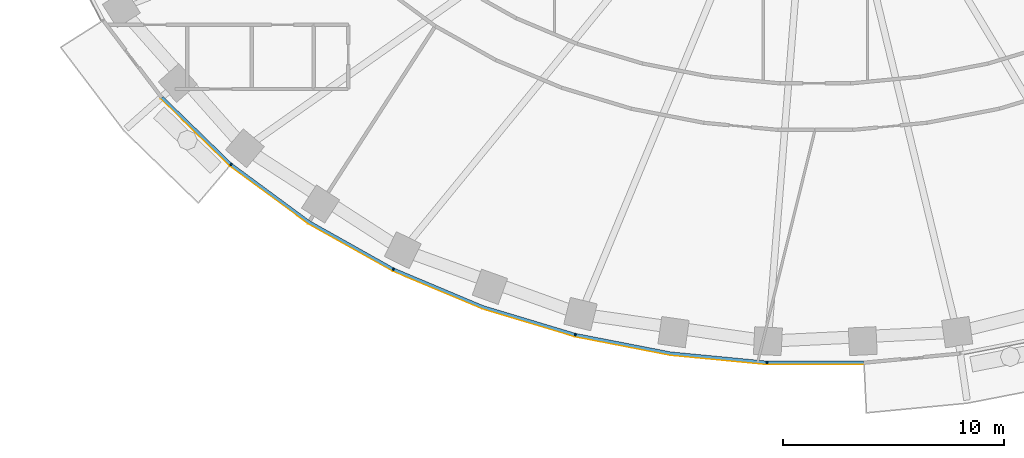
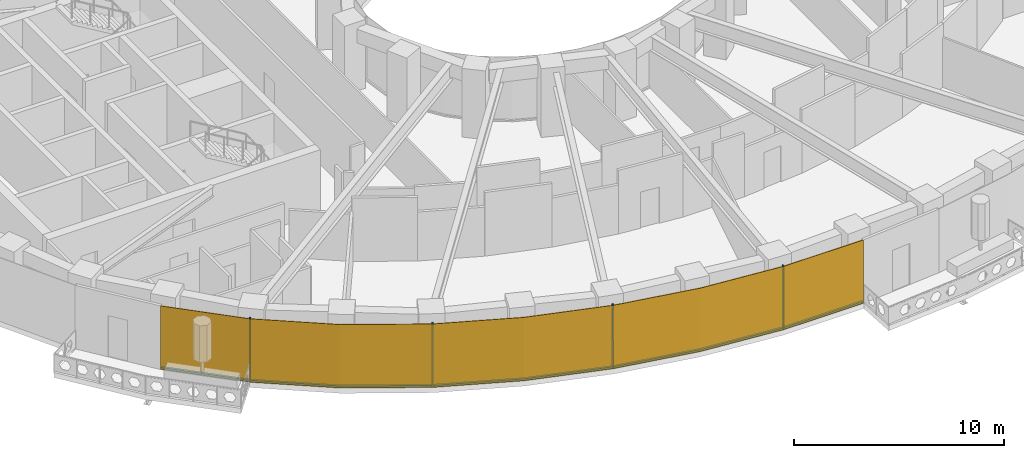
# One storey, part 8 of 16: 9 members, 1 curtain wall.
"""IFC4 building model written with IfcOpenShell, lengths in metres."""

from ifc_helpers import new_model, si_unit, direction, frame, origin, origin_2d, place, context, subcontext, project, spatial, polyline, rectangle, outline, extrude, material, layer, layer_set, material_profile, profile_set, type_object, element, aggregate, save


model = new_model("IFC4")

# Units and contexts
model_context = context("Model", 3, precision=1e-05, world=origin(), true_north=direction((0.0, 1.0)))
body_context = subcontext(model_context, "Body", "Model", "MODEL_VIEW")
ifc_project = project(units=[si_unit("LENGTHUNIT", "METRE"), si_unit("AREAUNIT", "SQUARE_METRE"), si_unit("VOLUMEUNIT", "CUBIC_METRE"), si_unit("PLANEANGLEUNIT", "RADIAN"), si_unit("MASSUNIT", "GRAM", prefix="KILO")], contexts=[model_context])

# Member
ifc_material_1 = material(Name="Aluminium 6063-T6 black anodised", Category="aluminium")
ifc_material_profile = material_profile(ifc_material_1, rectangle(XDim=0.1201171875, YDim=0.06005859375, at=origin_2d()), Name="120x60")
ifc_profile_set = profile_set([ifc_material_profile], Name="Aluminium 6063-T6 black anodised")
member_type_1 = type_object("IfcMemberType", Name="ENV-MULLION-A-120", PredefinedType="MULLION", material=ifc_profile_set)
site_placement = place(None, origin())
building_placement = place(site_placement, origin())
storey_placement = place(building_placement, frame((0.0, 0.0, 132.0)))
member_1_placement = place(storey_placement, frame((-26.403564453125, -18.9130859375, 0.0), z_axis=(0.0, 0.0, 1.0), x_axis=(0.646451313783, 0.762955240435, 0.0)))
member_1 = element("IfcMember", 1, at=member_1_placement, type_object=member_type_1, Name="Mullion A radial 29", PredefinedType="MULLION", context=body_context, shape_type="SweptSolid", body=[
    extrude(rectangle(XDim=0.1201171875, YDim=0.06005859375, at=origin_2d()), origin(), (0.0, 0.0, 1.0), 3.699951171875),
])

member_2_placement = place(storey_placement, frame((-19.06787109375, -23.6474609375, 0.0), z_axis=(0.0, 0.0, 1.0), x_axis=(0.439237769837, 0.898370848563, 0.0)))
member_2 = element("IfcMember", 2, at=member_2_placement, type_object=member_type_1, Name="Mullion A radial 31", PredefinedType="MULLION", context=body_context, shape_type="SweptSolid", body=[
    extrude(rectangle(XDim=0.1201171875, YDim=0.06005859375, at=origin_2d()), origin(), (0.0, 0.0, 1.0), 3.699951171875),
])

member_3_placement = place(storey_placement, frame((-10.84326171875, -26.60498046875, 0.0), z_axis=(0.0, 0.0, 1.0), x_axis=(0.239799081534, 0.970822538106, 0.0)))
member_3 = element("IfcMember", 3, at=member_3_placement, type_object=member_type_1, Name="Mullion A radial 33", PredefinedType="MULLION", context=body_context, shape_type="SweptSolid", body=[
    extrude(rectangle(XDim=0.1201171875, YDim=0.06005859375, at=origin_2d()), origin(), (0.0, 0.0, 1.0), 3.699951171875),
])

member_4_placement = place(storey_placement, frame((-2.188720703125, -27.856201171875, 0.0), z_axis=(0.0, 0.0, 1.0), x_axis=(0.047557873581, 0.998868484166, 0.0)))
member_4 = element("IfcMember", 4, at=member_4_placement, type_object=member_type_1, Name="Mullion A radial 35", PredefinedType="MULLION", context=body_context, shape_type="SweptSolid", body=[
    extrude(rectangle(XDim=0.1201171875, YDim=0.06005859375, at=origin_2d()), origin(), (0.0, 0.0, 1.0), 3.699951171875),
])

ifc_material_2 = material(Name="Aluminium 6063-T6 black anodised", Category="aluminium")
member_type_2 = type_object("IfcMemberType", Name="ENV-TRANSOM-A", PredefinedType="USERDEFINED", material=ifc_material_2)
member_5_placement = place(storey_placement, origin())
member_5 = element("IfcMember", 5, at=member_5_placement, type_object=member_type_2, Name="Transom A radial 28-29", ObjectType="TRANSOM", PredefinedType="USERDEFINED", context=body_context, shape_type="SweptSolid", body=[
    extrude(outline(polyline([(-29.569091796875, -15.9208984375), (-26.46240234375, -18.939208984375), (-26.384765625, -18.847412109375), (-29.47900390625, -15.841064453125), (-29.569091796875, -15.9208984375)])), origin(), (0.0, 0.0, 1.0), 0.10009765625),
])

member_6_placement = place(storey_placement, origin())
member_6 = element("IfcMember", 6, at=member_6_placement, type_object=member_type_2, Name="Transom A radial 29-31", ObjectType="TRANSOM", PredefinedType="USERDEFINED", context=body_context, shape_type="SweptSolid", body=[
    extrude(outline(polyline([(-26.419921875, -18.975341796875), (-22.9150390625, -21.556884765625), (-19.11865234375, -23.687744140625), (-19.06591796875, -23.57958984375), (-22.85009765625, -21.455810546875), (-26.342041015625, -18.883544921875), (-26.419921875, -18.975341796875)])), origin(), (0.0, 0.0, 1.0), 0.10009765625),
])

member_7_placement = place(storey_placement, origin())
member_7 = element("IfcMember", 7, at=member_7_placement, type_object=member_type_2, Name="Transom A radial 31-33", ObjectType="TRANSOM", PredefinedType="USERDEFINED", context=body_context, shape_type="SweptSolid", body=[
    extrude(outline(polyline([(-19.068359375, -23.71240234375), (-15.054443359375, -25.400146484375), (-10.884521484375, -26.655029296875), (-10.855712890625, -26.53857421875), (-15.013916015625, -25.287109375), (-19.015380859375, -23.604248046875), (-19.068359375, -23.71240234375)])), origin(), (0.0, 0.0, 1.0), 0.10009765625),
])

member_8_placement = place(storey_placement, origin())
member_8 = element("IfcMember", 8, at=member_8_placement, type_object=member_type_2, Name="Transom A radial 33-35", ObjectType="TRANSOM", PredefinedType="USERDEFINED", context=body_context, shape_type="SweptSolid", body=[
    extrude(outline(polyline([(-10.830078125, -26.66845703125), (-6.55517578125, -27.49951171875), (-2.219482421875, -27.913330078125), (-2.2138671875, -27.793212890625), (-6.537841796875, -27.380615234375), (-10.80126953125, -26.552001953125), (-10.830078125, -26.66845703125)])), origin(), (0.0, 0.0, 1.0), 0.10009765625),
])

member_9_placement = place(storey_placement, origin())
member_9 = element("IfcMember", 9, at=member_9_placement, type_object=member_type_2, Name="Transom A radial 35-36", ObjectType="TRANSOM", PredefinedType="USERDEFINED", context=body_context, shape_type="SweptSolid", body=[
    extrude(outline(polyline([(-2.163818359375, -27.916015625), (2.171630859375, -27.916015625), (2.166015625, -27.7958984375), (-2.157958984375, -27.7958984375), (-2.163818359375, -27.916015625)])), origin(), (0.0, 0.0, 1.0), 0.10009765625),
])

# Site, building, storey
site = spatial("IfcSite", under=ifc_project, at=site_placement, CompositionType="ELEMENT")
building = spatial("IfcBuilding", under=site, at=building_placement, Name="Noorbagh Ring Tower", CompositionType="ELEMENT")
storey = spatial("IfcBuildingStorey", under=building, at=storey_placement, Name="L30", CompositionType="ELEMENT", Elevation=132.0)

# Curtain wall
ifc_material_3 = material(Name="Glass dark tinted laminated", Category="glass")
ifc_layer = layer(ifc_material_3, 0.031982421875)
ifc_layer_set = layer_set([ifc_layer], Name="Glass dark tinted laminated")
curtain_wall_type = type_object("IfcCurtainWallType", Name="ENV-CW-A", PredefinedType="NOTDEFINED", material=ifc_layer_set)
curtain_wall_placement = place(storey_placement, origin())
curtain_wall = element("IfcCurtainWall", 10, at=curtain_wall_placement, inside=storey, type_object=curtain_wall_type, Name="Curtain wall A R28", PredefinedType="NOTDEFINED", context=body_context, shape_type="SweptSolid", body=[
    extrude(outline(polyline([(-29.59326171875, -15.942138671875), (-26.463134765625, -18.9833984375), (-22.9326171875, -21.583740234375), (-19.108154296875, -23.730224609375), (-15.065185546875, -25.430419921875), (-10.865234375, -26.6943359375), (-6.559814453125, -27.53125), (-2.193115234375, -27.947998046875), (2.173095703125, -27.947998046875), (2.171630859375, -27.916015625), (-2.191650390625, -27.916015625), (-6.55517578125, -27.49951171875), (-10.857666015625, -26.6630859375), (-15.054443359375, -25.400146484375), (-19.093994140625, -23.701416015625), (-22.9150390625, -21.556884765625), (-26.4423828125, -18.958740234375), (-29.569091796875, -15.9208984375), (-29.59326171875, -15.942138671875)])), origin(), (0.0, 0.0, 1.0), 3.699951171875),
])

aggregate(curtain_wall, [member_1, member_2, member_3, member_4, member_5, member_6, member_7, member_8, member_9])

save(model, "model.ifc")
